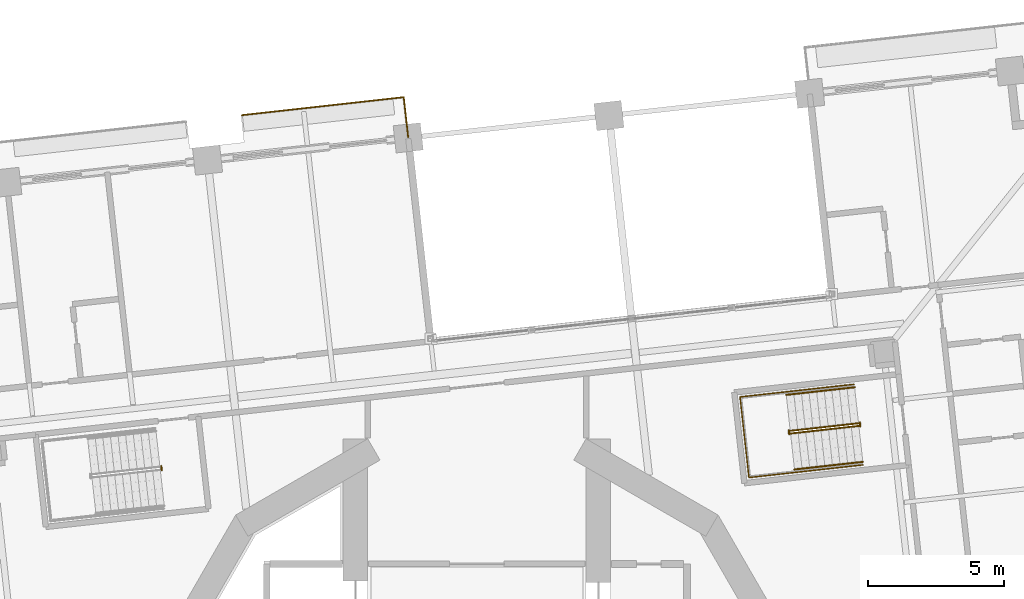
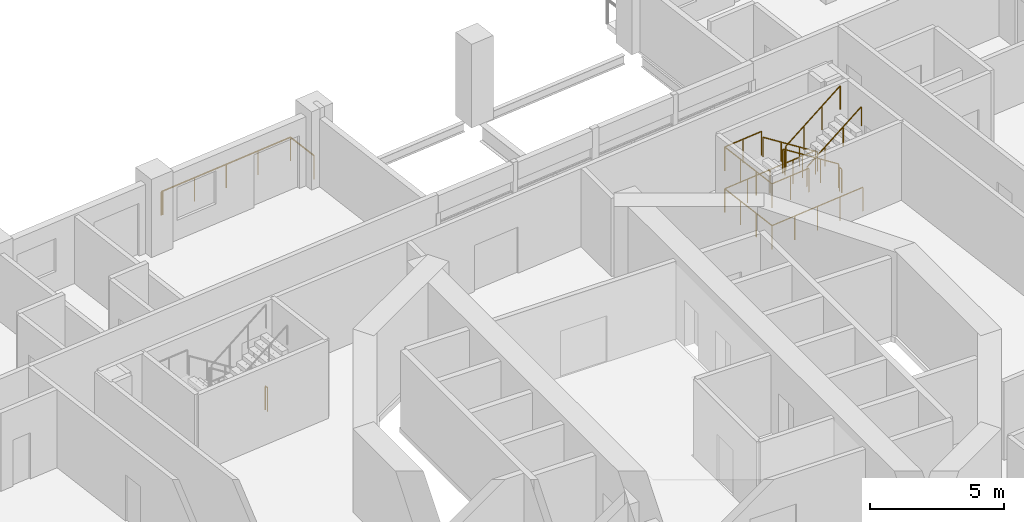
# One storey, part 18 of 20: 9 railings.
"""IFC4 building model written with IfcOpenShell, lengths in metres."""

import ifcopenshell
import ifcopenshell.guid

model = None  # the IFC model being written
_history = None  # IfcOwnerHistory: only IFC2X3 demands one
_inside = {}  # id of a spatial element -> (the spatial element, [elements in it])
_under = {}  # id of a project, library or spatial element -> (it, [spatial elements below it])
_declared = {}  # id of a project -> (the project, [libraries it declares])
_typed = {}  # id of a type object -> (the type object, [elements of that type])
_made_of = {}  # id of a material, layer set ... -> (it, [elements and type objects made of it])


def new_model(schema):
    """Start an empty IFC model of exactly this schema.

    Asked for "IFC4X3", IfcOpenShell would pick the latest addendum, in which some entities
    have other attributes; the version numbers below select the first issue.
    IFC2X3 requires an IfcOwnerHistory on every rooted entity: one is made here for all.
    """
    global model, _history
    if schema == "IFC4X3":
        model = ifcopenshell.file(schema_version=(4, 3, 0, 0))
    else:
        model = ifcopenshell.file(schema=schema)
    _inside.clear()
    _under.clear()
    _declared.clear()
    _typed.clear()
    _made_of.clear()
    _history = None
    if model.schema == "IFC2X3":
        org = make("IfcOrganization", Name="unknown")
        user = make(
            "IfcPersonAndOrganization",
            ThePerson=make("IfcPerson", FamilyName="unknown"),
            TheOrganization=org,
        )
        app = make(
            "IfcApplication",
            ApplicationDeveloper=org,
            Version="unknown",
            ApplicationFullName="unknown",
            ApplicationIdentifier="unknown",
        )
        _history = make(
            "IfcOwnerHistory",
            OwningUser=user,
            OwningApplication=app,
            ChangeAction="ADDED",
            CreationDate=0,
        )
    return model


def make(cls, **values):
    """One entity of the class cls with the attributes given. An attribute that is None is left unset."""
    return model.create_entity(
        cls, **{name: value for name, value in values.items() if value is not None}
    )


def rooted(cls, **values):
    """An entity with a GlobalId (a new one), such as an element, a storey or a relation."""
    return make(cls, GlobalId=ifcopenshell.guid.new(), OwnerHistory=_history, **values)


def si_unit(unit_type, name, prefix=None):
    """IfcSIUnit, for example si_unit("LENGTHUNIT", "METRE", prefix="MILLI")."""
    return make("IfcSIUnit", UnitType=unit_type, Prefix=prefix, Name=name)


def assignment(units):
    """IfcUnitAssignment: the units of a project."""
    return None if units is None else make("IfcUnitAssignment", Units=units)


def point(xyz):
    """IfcCartesianPoint."""
    return None if xyz is None else make("IfcCartesianPoint", Coordinates=xyz)


def direction(xyz):
    """IfcDirection."""
    return None if xyz is None else make("IfcDirection", DirectionRatios=xyz)


def frame(location, z_axis=None, x_axis=None):
    """IfcAxis2Placement3D, a coordinate frame: its origin and axes. An axis left out is left unset."""
    return make(
        "IfcAxis2Placement3D",
        Location=point(location),
        Axis=direction(z_axis),
        RefDirection=direction(x_axis),
    )


def frame_2d(location, x_axis=None):
    """IfcAxis2Placement2D, a coordinate frame in the plane: its origin and x axis."""
    return make(
        "IfcAxis2Placement2D", Location=point(location), RefDirection=direction(x_axis)
    )


def origin():
    """The frame at (0, 0, 0) with its axes left unset."""
    return frame((0.0, 0.0, 0.0))


def origin_2d():
    """The frame at (0, 0) in the plane with its x axis left unset."""
    return frame_2d((0.0, 0.0))


def place(relative_to, where):
    """IfcLocalPlacement: puts the frame where relative to a parent placement (None: the world)."""
    return make(
        "IfcLocalPlacement", PlacementRelTo=relative_to, RelativePlacement=where
    )


def context(
    kind, dimensions, precision=None, world=None, true_north=None, identifier=None
):
    """IfcGeometricRepresentationContext, for example the 3D "Model" context."""
    return make(
        "IfcGeometricRepresentationContext",
        ContextIdentifier=identifier,
        ContextType=kind,
        CoordinateSpaceDimension=dimensions,
        Precision=precision,
        WorldCoordinateSystem=world,
        TrueNorth=true_north,
    )


def subcontext(parent, identifier, kind, view, scale=None):
    """IfcGeometricRepresentationSubContext, for example "Body" below "Model"."""
    return make(
        "IfcGeometricRepresentationSubContext",
        ContextIdentifier=identifier,
        ContextType=kind,
        ParentContext=parent,
        TargetScale=scale,
        TargetView=view,
    )


def project(units=None, contexts=None):
    """IfcProject with its units and contexts."""
    return rooted(
        "IfcProject",
        Name="project",
        RepresentationContexts=contexts,
        UnitsInContext=assignment(units),
    )


def spatial(cls, under=None, at=None, **own):
    """A site, building, storey or space (cls), placed at a placement, below another one or the project."""
    s = rooted(cls, ObjectPlacement=at, **own)
    if under is not None:
        _under.setdefault(under.id(), (under, []))[1].append(s)
    return s


def profile(cls, at=None, kind="AREA", **sizes):
    """A parametric profile (cls). Its sizes go by their IFC names, for example OverallWidth=200.0."""
    return make(cls, ProfileType=kind, Position=at, **sizes)


def circle(**sizes):
    """IfcCircleProfileDef."""
    return profile("IfcCircleProfileDef", **sizes)


def extrude(swept, where, along, depth):
    """IfcExtrudedAreaSolid: the profile swept, set in the frame where, extruded along a direction by depth."""
    return make(
        "IfcExtrudedAreaSolid",
        SweptArea=swept,
        Position=where,
        ExtrudedDirection=direction(along),
        Depth=depth,
    )


def shape(context_of_items, identifier, shape_type, items):
    """IfcShapeRepresentation: the items that make up one representation, for example the "Body"."""
    return make(
        "IfcShapeRepresentation",
        ContextOfItems=context_of_items,
        RepresentationIdentifier=identifier,
        RepresentationType=shape_type,
        Items=items,
    )


def material(Name=None, Category=None):
    """IfcMaterial."""
    return make("IfcMaterial", Name=Name, Category=Category)


def made_of(thing, what):
    """Note that an element or type object is made of a material, layer set ...; save() writes the relation."""
    if what is not None:
        _made_of.setdefault(what.id(), (what, []))[1].append(thing)
    return thing


def type_object(cls, material=None, **own):
    """A type object (cls), such as IfcWallType, which elements share."""
    return made_of(rooted(cls, **own), material)


def element(
    cls,
    number,
    at=None,
    inside=None,
    cuts=None,
    type_object=None,
    material=None,
    context=None,
    identifier="Body",
    shape_type=None,
    held_by="IfcProductDefinitionShape",
    body=None,
    shapes=None,
    **own,
):
    """One element of the class cls, such as IfcWall. Its Tag is "e" and its number.

    at: its placement. inside: the storey or other place that contains it. cuts: it is an
    opening in that element (IfcRelVoidsElement). A single representation is given by context,
    identifier, shape_type and body (its items); several are given by shapes. held_by: the class
    of the entity that holds the representations. save() writes the other relations.
    """
    e = rooted(cls, Tag="e%d" % number, ObjectPlacement=at, **own)
    if body is not None:
        shapes = [shape(context, identifier, shape_type, body)]
    if shapes is not None:
        e.Representation = make(held_by, Representations=shapes)
    if inside is not None:
        _inside.setdefault(inside.id(), (inside, []))[1].append(e)
    if cuts is not None:
        rooted(
            "IfcRelVoidsElement", RelatingBuildingElement=cuts, RelatedOpeningElement=e
        )
    if type_object is not None:
        _typed.setdefault(type_object.id(), (type_object, []))[1].append(e)
    return made_of(e, material)


def aggregate(whole, parts):
    """IfcRelAggregates: a whole, such as a stair, and the parts it consists of."""
    return rooted("IfcRelAggregates", RelatingObject=whole, RelatedObjects=parts)


def save(model, path):
    """Write the relations noted so far, then the file.

    IfcRelAggregates (storeys below a building ...), IfcRelContainedInSpatialStructure (elements
    in a storey), IfcRelDefinesByType, IfcRelAssociatesMaterial and IfcRelDeclares: one each for
    every whole, place, type object, material and project.
    """
    for whole, parts in _under.values():
        aggregate(whole, parts)
    for where, things in _inside.values():
        rooted(
            "IfcRelContainedInSpatialStructure",
            RelatedElements=things,
            RelatingStructure=where,
        )
    for kind, things in _typed.values():
        rooted("IfcRelDefinesByType", RelatedObjects=things, RelatingType=kind)
    for what, things in _made_of.values():
        rooted("IfcRelAssociatesMaterial", RelatedObjects=things, RelatingMaterial=what)
    for by, libraries in _declared.values():
        rooted("IfcRelDeclares", RelatingContext=by, RelatedDefinitions=libraries)
    model.write(path)


model = new_model("IFC4")

# Units and contexts
model_context = context("Model", 3, precision=1e-05, world=origin(), true_north=direction((0.0, 1.0)))
body_context = subcontext(model_context, "Body", "Model", "MODEL_VIEW")
ifc_project = project(units=[si_unit("LENGTHUNIT", "METRE"), si_unit("AREAUNIT", "SQUARE_METRE"), si_unit("VOLUMEUNIT", "CUBIC_METRE"), si_unit("PLANEANGLEUNIT", "RADIAN"), si_unit("MASSUNIT", "GRAM", prefix="KILO")], contexts=[model_context])

# Site, building, storey
site_placement = place(None, origin())
site = spatial("IfcSite", under=ifc_project, at=site_placement, CompositionType="ELEMENT")
building_placement = place(site_placement, origin())
building = spatial("IfcBuilding", under=site, at=building_placement, Name="Cantera Rosa Tower", CompositionType="ELEMENT")
storey_placement = place(building_placement, frame((0.0, 0.0, 50.10009765625)))
storey = spatial("IfcBuildingStorey", under=building, at=storey_placement, Name="L09", CompositionType="ELEMENT", Elevation=50.10009765625)

# Railings
ifc_material_1 = material(Name="Stainless steel and laminated glass", Category="steel")
railing_type_1 = type_object("IfcRailingType", Name="GUARD 1100", PredefinedType="BALUSTRADE", material=ifc_material_1)
railing_1_placement = place(storey_placement, frame((-8.6142578125, 23.4931640625, 0.0)))
element("IfcRailing", 1, at=railing_1_placement, inside=storey, type_object=railing_type_1, Name="GUARD L09-5", PredefinedType="BALUSTRADE", context=body_context, shape_type="SweptSolid", body=[
    extrude(circle(Radius=0.030029296875, at=origin_2d()), frame((0.0, 0.0, 1.070068359375), z_axis=(0.994136314057, 0.108134125389, 0.0), x_axis=(-0.108134125389, 0.994136314057, 0.0)), (0.0, 0.0, 1.0), 0.070068359375),
    extrude(circle(Radius=0.030029296875, at=origin_2d()), frame((0.069580078125, 0.007568359375, 1.070068359375), z_axis=(0.993891851654, 0.110358448777, 0.0), x_axis=(-0.110358448777, 0.993891851654, 0.0)), (0.0, 0.0, 1.0), 4.400146484375),
    extrude(circle(Radius=0.030029296875, at=origin_2d()), frame((4.44287109375, 0.4931640625, 1.070068359375), z_axis=(0.993909513469, 0.110199269672, 0.0), x_axis=(-0.110199269672, 0.993909513469, 0.0)), (0.0, 0.0, 1.0), 1.499755859375),
    extrude(circle(Radius=0.030029296875, at=origin_2d()), frame((5.93359375, 0.658447265625, 1.070068359375), z_axis=(0.110359103751, -0.993891778927, 0.0), x_axis=(0.993891778927, 0.110359103751, 0.0)), (0.0, 0.0, 1.0), 1.47998046875),
    extrude(circle(Radius=0.02490234375, at=origin_2d()), origin(), (0.0, 0.0, 1.0), 1.0400390625),
    extrude(circle(Radius=0.02490234375, at=origin_2d()), frame((0.069580078125, 0.007568359375, 0.0)), (0.0, 0.0, 1.0), 1.0400390625),
    extrude(circle(Radius=0.02490234375, at=origin_2d()), frame((1.52734375, 0.16943359375, 0.0)), (0.0, 0.0, 1.0), 1.0400390625),
    extrude(circle(Radius=0.02490234375, at=origin_2d()), frame((2.985107421875, 0.331298828125, 0.0)), (0.0, 0.0, 1.0), 1.0400390625),
    extrude(circle(Radius=0.02490234375, at=origin_2d()), frame((4.44287109375, 0.4931640625, 0.0)), (0.0, 0.0, 1.0), 1.0400390625),
    extrude(circle(Radius=0.02490234375, at=origin_2d()), frame((5.93359375, 0.658447265625, 0.0)), (0.0, 0.0, 1.0), 1.0400390625),
    extrude(circle(Radius=0.02490234375, at=origin_2d()), frame((6.096923828125, -0.8125, 0.0)), (0.0, 0.0, 1.0), 1.0400390625),
])
ifc_material_2 = material(Name="Steel S355J2 (EN 10025-2)", Category="steel")
railing_type_2 = type_object("IfcRailingType", Name="STAIR GUARD 1100", PredefinedType="GUARDRAIL", material=ifc_material_2)
railing_2_placement = place(storey_placement, frame((13.986083984375, 12.203125, 0.18994140625)))
element("IfcRailing", 2, at=railing_2_placement, inside=storey, type_object=railing_type_2, Name="L09 ST-11 stair guard 1", PredefinedType="GUARDRAIL", context=body_context, shape_type="SweptSolid", body=[
    extrude(circle(Radius=0.02392578125, at=origin_2d()), frame((0.0, 0.0, 1.076171875), z_axis=(-0.822431337597, -0.091310000343, 0.561488360321), x_axis=(0.110346460196, -0.993893182753, 0.0)), (0.0, 0.0, 1.0), 3.04541015625),
    extrude(circle(Radius=0.02392578125, at=origin_2d()), frame((-2.504638671875, -0.278076171875, 2.7861328125), z_axis=(-0.931434406233, 0.363909256389, 0.0), x_axis=(-0.363909256389, -0.931434406233, 0.0)), (0.0, 0.0, 1.0), 0.056396484375),
    extrude(circle(Radius=0.02392578125, at=origin_2d()), frame((-2.55712890625, -0.257568359375, 2.7861328125), z_axis=(0.1090029065, -0.994041430915, 0.0), x_axis=(0.994041430915, 0.1090029065, 0.0)), (0.0, 0.0, 1.0), 0.150146484375),
    extrude(circle(Radius=0.02099609375, at=origin_2d()), origin(), (0.0, 0.0, 1.0), 1.052001953125),
    extrude(circle(Radius=0.02099609375, at=origin_2d()), frame((-0.8349609375, -0.0927734375, 0.570068359375)), (0.0, 0.0, 1.0), 1.052001953125),
    extrude(circle(Radius=0.02099609375, at=origin_2d()), frame((-1.669677734375, -0.185302734375, 1.139892578125)), (0.0, 0.0, 1.0), 1.052001953125),
    extrude(circle(Radius=0.02099609375, at=origin_2d()), frame((-2.504638671875, -0.278076171875, 1.7099609375)), (0.0, 0.0, 1.0), 1.052001953125),
    extrude(circle(Radius=0.02099609375, at=origin_2d()), frame((-2.55712890625, -0.257568359375, 1.7099609375)), (0.0, 0.0, 1.0), 1.052001953125),
    extrude(circle(Radius=0.02099609375, at=origin_2d()), frame((-2.540771484375, -0.40673828125, 1.7099609375)), (0.0, 0.0, 1.0), 1.052001953125),
])
railing_3_placement = place(storey_placement, frame((11.4921875, 11.82763671875, 2.08984375)))
element("IfcRailing", 3, at=railing_3_placement, inside=storey, type_object=railing_type_2, Name="L09 ST-11 stair guard 2", PredefinedType="GUARDRAIL", context=body_context, shape_type="SweptSolid", body=[
    extrude(circle(Radius=0.02392578125, at=origin_2d()), frame((0.0, 0.0, 1.076171875), z_axis=(0.822431337597, 0.091310000343, 0.561488360321), x_axis=(-0.110346460196, 0.993893182753, 0.0)), (0.0, 0.0, 1.0), 3.04541015625),
    extrude(circle(Radius=0.02099609375, at=origin_2d()), origin(), (0.0, 0.0, 1.0), 1.052001953125),
    extrude(circle(Radius=0.02099609375, at=origin_2d()), frame((0.8349609375, 0.0927734375, 0.570068359375)), (0.0, 0.0, 1.0), 1.052001953125),
    extrude(circle(Radius=0.02099609375, at=origin_2d()), frame((1.669677734375, 0.185302734375, 1.139892578125)), (0.0, 0.0, 1.0), 1.052001953125),
    extrude(circle(Radius=0.02099609375, at=origin_2d()), frame((2.504638671875, 0.278076171875, 1.7099609375)), (0.0, 0.0, 1.0), 1.052001953125),
])
railing_4_placement = place(storey_placement, frame((14.032958984375, 12.234375, 0.0)))
element("IfcRailing", 4, at=railing_4_placement, inside=storey, type_object=railing_type_2, Name="L09 ST-11 stair guard 3", PredefinedType="GUARDRAIL", context=body_context, shape_type="SweptSolid", body=[
    extrude(circle(Radius=0.02392578125, at=origin_2d()), frame((0.0, 0.0, 1.076171875), z_axis=(0.109179471459, -0.994022053584, 0.0), x_axis=(0.994022053584, 0.109179471459, 0.0)), (0.0, 0.0, 1.0), 0.14990234375),
    extrude(circle(Radius=0.02099609375, at=origin_2d()), origin(), (0.0, 0.0, 1.0), 1.052001953125),
    extrude(circle(Radius=0.02099609375, at=origin_2d()), frame((0.016357421875, -0.14892578125, 0.0)), (0.0, 0.0, 1.0), 1.052001953125),
])
railing_5_placement = place(storey_placement, frame((13.815673828125, 13.629150390625, 0.0)))
element("IfcRailing", 5, at=railing_5_placement, inside=storey, type_object=railing_type_2, Name="L09 ST-11 stair guard 4", PredefinedType="GUARDRAIL", context=body_context, shape_type="SweptSolid", body=[
    extrude(circle(Radius=0.02392578125, at=origin_2d()), frame((0.0, 0.0, 1.076171875), z_axis=(-0.9938957856, -0.110323013767, 0.0), x_axis=(0.110323013767, -0.9938957856, 0.0)), (0.0, 0.0, 1.0), 4.197998046875),
    extrude(circle(Radius=0.02392578125, at=origin_2d()), frame((-4.17236328125, -0.463134765625, 1.076171875), z_axis=(0.110314237986, -0.993896759678, 0.0), x_axis=(0.993896759678, 0.110314237986, 0.0)), (0.0, 0.0, 1.0), 2.969970703125),
    extrude(circle(Radius=0.02392578125, at=origin_2d()), frame((-3.8447265625, -3.4150390625, 1.076171875), z_axis=(0.9938957856, 0.110323013767, 0.0), x_axis=(-0.110323013767, 0.9938957856, 0.0)), (0.0, 0.0, 1.0), 4.197998046875),
    extrude(circle(Radius=0.02099609375, at=origin_2d()), origin(), (0.0, 0.0, 1.0), 1.052001953125),
    extrude(circle(Radius=0.02099609375, at=origin_2d()), frame((-1.04296875, -0.11572265625, 0.0)), (0.0, 0.0, 1.0), 1.052001953125),
    extrude(circle(Radius=0.02099609375, at=origin_2d()), frame((-2.086181640625, -0.2314453125, 0.0)), (0.0, 0.0, 1.0), 1.052001953125),
    extrude(circle(Radius=0.02099609375, at=origin_2d()), frame((-3.12939453125, -0.347412109375, 0.0)), (0.0, 0.0, 1.0), 1.052001953125),
    extrude(circle(Radius=0.02099609375, at=origin_2d()), frame((-4.17236328125, -0.463134765625, 0.0)), (0.0, 0.0, 1.0), 1.052001953125),
    extrude(circle(Radius=0.02099609375, at=origin_2d()), frame((-4.063232421875, -1.447021484375, 0.0)), (0.0, 0.0, 1.0), 1.052001953125),
    extrude(circle(Radius=0.02099609375, at=origin_2d()), frame((-3.953857421875, -2.43115234375, 0.0)), (0.0, 0.0, 1.0), 1.052001953125),
    extrude(circle(Radius=0.02099609375, at=origin_2d()), frame((-3.8447265625, -3.4150390625, 0.0)), (0.0, 0.0, 1.0), 1.052001953125),
    extrude(circle(Radius=0.02099609375, at=origin_2d()), frame((-2.8017578125, -3.29931640625, 0.0)), (0.0, 0.0, 1.0), 1.052001953125),
    extrude(circle(Radius=0.02099609375, at=origin_2d()), frame((-1.758544921875, -3.18359375, 0.0)), (0.0, 0.0, 1.0), 1.052001953125),
    extrude(circle(Radius=0.02099609375, at=origin_2d()), frame((-0.71533203125, -3.067626953125, 0.0)), (0.0, 0.0, 1.0), 1.052001953125),
    extrude(circle(Radius=0.02099609375, at=origin_2d()), frame((0.32763671875, -2.951904296875, 0.0)), (0.0, 0.0, 1.0), 1.052001953125),
])
railing_6_placement = place(storey_placement, frame((11.3349609375, 13.353759765625, 1.89990234375)))
element("IfcRailing", 6, at=railing_6_placement, inside=storey, type_object=railing_type_2, Name="L09 ST-11 stair guard 5", PredefinedType="GUARDRAIL", context=body_context, shape_type="SweptSolid", body=[
    extrude(circle(Radius=0.02392578125, at=origin_2d()), frame((0.0, 0.0, 1.076171875), z_axis=(-0.993897720867, -0.110305577623, 0.0), x_axis=(0.110305577623, -0.993897720867, 0.0)), (0.0, 0.0, 1.0), 1.7021484375),
    extrude(circle(Radius=0.02392578125, at=origin_2d()), frame((-1.691650390625, -0.187744140625, 1.076171875), z_axis=(0.110314237986, -0.993896759678, 0.0), x_axis=(0.993896759678, 0.110314237986, 0.0)), (0.0, 0.0, 1.0), 2.969970703125),
    extrude(circle(Radius=0.02392578125, at=origin_2d()), frame((-1.364013671875, -3.1396484375, 1.076171875), z_axis=(0.993897720867, 0.110305577623, 0.0), x_axis=(-0.110305577623, 0.993897720867, 0.0)), (0.0, 0.0, 1.0), 1.7021484375),
    extrude(circle(Radius=0.02099609375, at=origin_2d()), origin(), (0.0, 0.0, 1.0), 1.052001953125),
    extrude(circle(Radius=0.02099609375, at=origin_2d()), frame((-0.845703125, -0.09375, 0.0)), (0.0, 0.0, 1.0), 1.052001953125),
    extrude(circle(Radius=0.02099609375, at=origin_2d()), frame((-1.691650390625, -0.187744140625, 0.0)), (0.0, 0.0, 1.0), 1.052001953125),
    extrude(circle(Radius=0.02099609375, at=origin_2d()), frame((-1.58251953125, -1.171630859375, 0.0)), (0.0, 0.0, 1.0), 1.052001953125),
    extrude(circle(Radius=0.02099609375, at=origin_2d()), frame((-1.47314453125, -2.15576171875, 0.0)), (0.0, 0.0, 1.0), 1.052001953125),
    extrude(circle(Radius=0.02099609375, at=origin_2d()), frame((-1.364013671875, -3.1396484375, 0.0)), (0.0, 0.0, 1.0), 1.052001953125),
    extrude(circle(Radius=0.02099609375, at=origin_2d()), frame((-0.51806640625, -3.0458984375, 0.0)), (0.0, 0.0, 1.0), 1.052001953125),
    extrude(circle(Radius=0.02099609375, at=origin_2d()), frame((0.32763671875, -2.951904296875, 0.0)), (0.0, 0.0, 1.0), 1.052001953125),
])
railing_7_placement = place(storey_placement, frame((-11.567138671875, 10.634521484375, 0.0)))
element("IfcRailing", 7, at=railing_7_placement, inside=storey, type_object=railing_type_2, Name="L09 ST-12 stair guard 3", PredefinedType="GUARDRAIL", context=body_context, shape_type="SweptSolid", body=[
    extrude(circle(Radius=0.02392578125, at=origin_2d()), frame((0.0, 0.0, 1.076171875), z_axis=(0.110610055588, -0.993863881828, 0.0), x_axis=(0.993863881828, 0.110610055588, 0.0)), (0.0, 0.0, 1.0), 0.150146484375),
    extrude(circle(Radius=0.02099609375, at=origin_2d()), origin(), (0.0, 0.0, 1.0), 1.052001953125),
    extrude(circle(Radius=0.02099609375, at=origin_2d()), frame((0.0166015625, -0.149169921875, 0.0)), (0.0, 0.0, 1.0), 1.052001953125),
])
ifc_material_3 = material(Name="Steel S355J2 (EN 10025-2)", Category="steel")
railing_type_3 = type_object("IfcRailingType", Name="STAIR HANDRAIL 900", PredefinedType="HANDRAIL", material=ifc_material_3)
railing_8_placement = place(storey_placement, frame((13.83984375, 13.52099609375, 0.18994140625)))
element("IfcRailing", 8, at=railing_8_placement, inside=storey, type_object=railing_type_3, Name="L09 ST-11 stair handrail 1", PredefinedType="HANDRAIL", context=body_context, shape_type="SweptSolid", body=[
    extrude(circle(Radius=0.02392578125, at=origin_2d()), frame((0.0, 0.0, 0.8759765625), z_axis=(-0.822437355244, -0.09123050105, 0.561492468674), x_axis=(0.110250758185, -0.993903803353, 0.0)), (0.0, 0.0, 1.0), 3.04541015625),
    extrude(circle(Radius=0.02099609375, at=origin_2d()), origin(), (0.0, 0.0, 1.0), 0.851806640625),
    extrude(circle(Radius=0.02099609375, at=origin_2d()), frame((-0.8349609375, -0.092529296875, 0.570068359375)), (0.0, 0.0, 1.0), 0.851806640625),
    extrude(circle(Radius=0.02099609375, at=origin_2d()), frame((-1.669677734375, -0.185302734375, 1.139892578125)), (0.0, 0.0, 1.0), 0.851806640625),
    extrude(circle(Radius=0.02099609375, at=origin_2d()), frame((-2.504638671875, -0.27783203125, 1.7099609375)), (0.0, 0.0, 1.0), 0.851806640625),
])
railing_9_placement = place(storey_placement, frame((11.638427734375, 10.509765625, 2.08984375)))
element("IfcRailing", 9, at=railing_9_placement, inside=storey, type_object=railing_type_3, Name="L09 ST-11 stair handrail 2", PredefinedType="HANDRAIL", context=body_context, shape_type="SweptSolid", body=[
    extrude(circle(Radius=0.02392578125, at=origin_2d()), frame((0.0, 0.0, 0.8759765625), z_axis=(0.822431337597, 0.091310000343, 0.561488360321), x_axis=(-0.110346460196, 0.993893182753, 0.0)), (0.0, 0.0, 1.0), 3.04541015625),
    extrude(circle(Radius=0.02099609375, at=origin_2d()), origin(), (0.0, 0.0, 1.0), 0.851806640625),
    extrude(circle(Radius=0.02099609375, at=origin_2d()), frame((0.8349609375, 0.0927734375, 0.570068359375)), (0.0, 0.0, 1.0), 0.851806640625),
    extrude(circle(Radius=0.02099609375, at=origin_2d()), frame((1.669677734375, 0.185302734375, 1.139892578125)), (0.0, 0.0, 1.0), 0.851806640625),
    extrude(circle(Radius=0.02099609375, at=origin_2d()), frame((2.504638671875, 0.278076171875, 1.7099609375)), (0.0, 0.0, 1.0), 0.851806640625),
])

save(model, "model.ifc")
